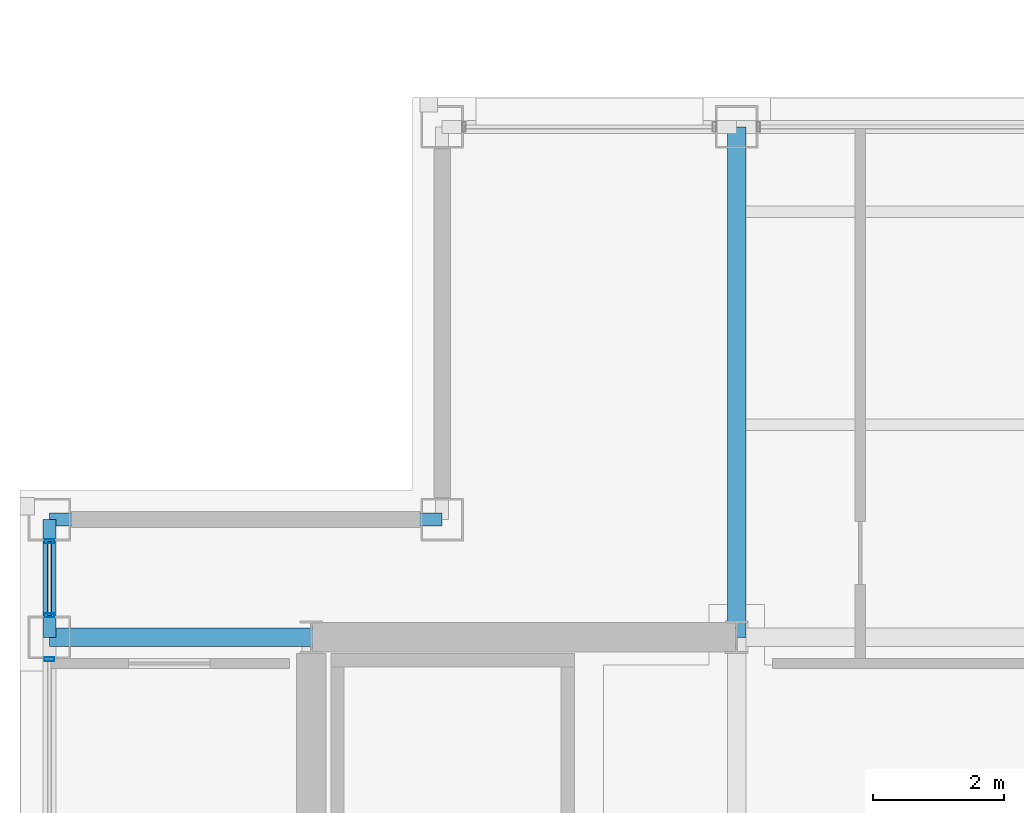
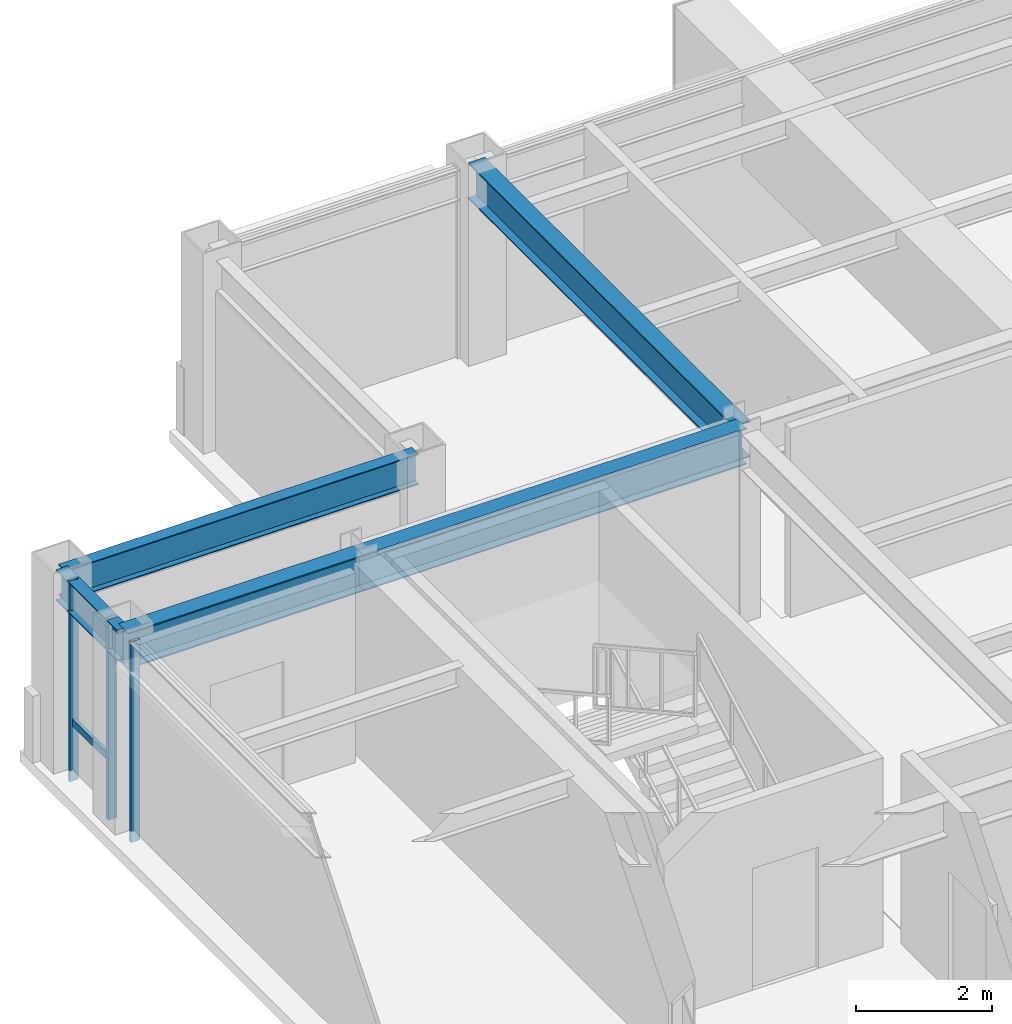
# One storey, part 8 of 20: 5 beams, 4 members, 2 elements without a shape of their own.
"""IFC4 building model written with IfcOpenShell, lengths in metres."""

from ifc_helpers import new_model, si_unit, direction, frame, origin, origin_2d, place, context, subcontext, project, spatial, hollow_rectangle, i_section, extrude, material, layer, layer_set, material_profile, profile_set, type_object, element, aggregate, save


model = new_model("IFC4")

# Units and contexts
model_context = context("Model", 3, precision=1e-05, world=origin(), true_north=direction((0.0, 1.0)))
body_context = subcontext(model_context, "Body", "Model", "MODEL_VIEW")
ifc_project = project(units=[si_unit("LENGTHUNIT", "METRE"), si_unit("AREAUNIT", "SQUARE_METRE"), si_unit("VOLUMEUNIT", "CUBIC_METRE"), si_unit("PLANEANGLEUNIT", "RADIAN"), si_unit("MASSUNIT", "GRAM", prefix="KILO")], contexts=[model_context])

# Site, building, storey
site_placement = place(None, origin())
site = spatial("IfcSite", under=ifc_project, at=site_placement, CompositionType="ELEMENT")
building_placement = place(site_placement, origin())
building = spatial("IfcBuilding", under=site, at=building_placement, Name="Brelmoor Portico Tower", CompositionType="ELEMENT")
storey_placement = place(building_placement, frame((0.0, 0.0, 218.39990234375)))
storey = spatial("IfcBuildingStorey", under=building, at=storey_placement, Name="L57", CompositionType="ELEMENT", Elevation=218.39990234375)

# Beams
ifc_material_1 = material(Name="Steel Q355B", Category="steel")
ifc_material_profile_1 = material_profile(ifc_material_1, i_section(OverallWidth=0.280029296875, OverallDepth=0.64990234375, WebThickness=0.012939453125, FlangeThickness=0.02197265625, at=origin_2d()), Name="HN 650x280x13x22")
ifc_profile_set_1 = profile_set([ifc_material_profile_1], Name="Steel Q355B")
beam_type_1 = type_object("IfcBeamType", Name="BM-PG-650", PredefinedType="BEAM", material=ifc_profile_set_1)
beam_1_placement = place(storey_placement, frame((-8.050048828125, 9.75, 3.0751953125), z_axis=(0.0, 1.0, 0.0), x_axis=(-1.0, 0.0, 0.0)))
element("IfcBeam", 1, at=beam_1_placement, inside=storey, type_object=beam_type_1, Name="L57 Primary Floor Girder PG-05", PredefinedType="BEAM", context=body_context, shape_type="SweptSolid", body=[
    extrude(i_section(OverallWidth=0.280029296875, OverallDepth=0.64990234375, WebThickness=0.012939453125, FlangeThickness=0.02197265625, at=origin_2d()), origin(), (0.0, 0.0, 1.0), 7.800048828125),
])
beam_2_placement = place(storey_placement, frame((-18.550048828125, 9.75, 3.0751953125), z_axis=(1.0, 0.0, 0.0), x_axis=(0.0, 1.0, 0.0)))
element("IfcBeam", 2, at=beam_2_placement, inside=storey, type_object=beam_type_1, Name="L57 Primary Floor Girder PG-19", PredefinedType="BEAM", context=body_context, shape_type="SweptSolid", body=[
    extrude(i_section(OverallWidth=0.280029296875, OverallDepth=0.64990234375, WebThickness=0.012939453125, FlangeThickness=0.02197265625, at=origin_2d()), origin(), (0.0, 0.0, 1.0), 4.0),
])
beam_3_placement = place(storey_placement, frame((-14.550048828125, 9.75, 3.0751953125), z_axis=(1.0, 0.0, 0.0), x_axis=(0.0, 1.0, 0.0)))
element("IfcBeam", 3, at=beam_3_placement, inside=storey, type_object=beam_type_1, Name="L57 Primary Floor Girder PG-20", PredefinedType="BEAM", context=body_context, shape_type="SweptSolid", body=[
    extrude(i_section(OverallWidth=0.280029296875, OverallDepth=0.64990234375, WebThickness=0.012939453125, FlangeThickness=0.02197265625, at=origin_2d()), origin(), (0.0, 0.0, 1.0), 6.5),
])
ifc_material_profile_2 = material_profile(ifc_material_1, i_section(OverallWidth=0.199951171875, OverallDepth=0.550048828125, WebThickness=0.010009765625, FlangeThickness=0.01611328125, at=origin_2d()), Name="HN 550x200x10x16")
ifc_profile_set_2 = profile_set([ifc_material_profile_2], Name="Steel Q355B")
beam_type_2 = type_object("IfcBeamType", Name="BM-SP-550", PredefinedType="SPANDREL", material=ifc_profile_set_2)
beam_4_placement = place(storey_placement, frame((-18.550048828125, 11.550048828125, 3.125), z_axis=(1.0, 0.0, 0.0), x_axis=(0.0, 1.0, 0.0)))
element("IfcBeam", 4, at=beam_4_placement, inside=storey, type_object=beam_type_2, Name="L57 Perimeter Spandrel Beam SP-06", PredefinedType="SPANDREL", context=body_context, shape_type="SweptSolid", body=[
    extrude(i_section(OverallWidth=0.199951171875, OverallDepth=0.550048828125, WebThickness=0.010009765625, FlangeThickness=0.01611328125, at=origin_2d()), origin(), (0.0, 0.0, 1.0), 6.0),
])
beam_5_placement = place(storey_placement, frame((-18.550048828125, 9.75, 3.125), z_axis=(0.0, 1.0, 0.0), x_axis=(-1.0, 0.0, 0.0)))
element("IfcBeam", 5, at=beam_5_placement, inside=storey, type_object=beam_type_2, Name="L57 Perimeter Spandrel Beam SP-13", PredefinedType="SPANDREL", context=body_context, shape_type="SweptSolid", body=[
    extrude(i_section(OverallWidth=0.199951171875, OverallDepth=0.550048828125, WebThickness=0.010009765625, FlangeThickness=0.01611328125, at=origin_2d()), origin(), (0.0, 0.0, 1.0), 1.800048828125),
])

# Curtain wall, member
ifc_material_2 = material(Name="Anodised Aluminium Alloy 6063-T6", Category="aluminium")
ifc_layer_1 = layer(ifc_material_2, 0.179931640625)
ifc_layer_set_1 = layer_set([ifc_layer_1], Name="Anodised Aluminium Alloy 6063-T6")
curtain_wall_type_1 = type_object("IfcCurtainWallType", Name="CW-TOWER-Z4-XB", PredefinedType="NOTDEFINED", material=ifc_layer_set_1)
curtain_wall_1_placement = place(storey_placement, origin())
curtain_wall_1 = element("IfcCurtainWall", 6, at=curtain_wall_1_placement, inside=storey, type_object=curtain_wall_type_1, Name="L57 Curtain Wall CW-L57-03-2", PredefinedType="NOTDEFINED")
ifc_material_profile_3 = material_profile(ifc_material_2, hollow_rectangle(XDim=0.06005859375, YDim=0.14990234375, WallThickness=0.00390625, at=origin_2d()), Name="ALU MULLION 60x150")
ifc_profile_set_3 = profile_set([ifc_material_profile_3], Name="Anodised Aluminium Alloy 6063-T6")
member_type_1 = type_object("IfcMemberType", Name="MB-CW-MULL-150", PredefinedType="MULLION", material=ifc_profile_set_3)
member_1_placement = place(storey_placement, frame((-18.550048828125, 9.4150390625, -0.199951171875), z_axis=(0.0, 0.0, 1.0), x_axis=(0.0, 1.0, 0.0)))
member_1 = element("IfcMember", 7, at=member_1_placement, type_object=member_type_1, Name="CW-L57-03-2 Mullion 02", PredefinedType="MULLION", context=body_context, shape_type="SweptSolid", body=[
    extrude(hollow_rectangle(XDim=0.06005859375, YDim=0.14990234375, WallThickness=0.00390625, at=origin_2d()), origin(), (0.0, 0.0, 1.0), 3.60009765625),
])
aggregate(curtain_wall_1, [member_1])

# Curtain wall, members
ifc_layer_2 = layer(ifc_material_2, 0.179931640625)
ifc_layer_set_2 = layer_set([ifc_layer_2], Name="Anodised Aluminium Alloy 6063-T6")
curtain_wall_type_2 = type_object("IfcCurtainWallType", Name="CW-TOWER-Z4", PredefinedType="NOTDEFINED", material=ifc_layer_set_2)
curtain_wall_2_placement = place(storey_placement, origin())
curtain_wall_2 = element("IfcCurtainWall", 8, at=curtain_wall_2_placement, inside=storey, type_object=curtain_wall_type_2, Name="L57 Curtain Wall CW-L57-03-3", PredefinedType="NOTDEFINED")
member_2_placement = place(storey_placement, frame((-18.550048828125, 10.0849609375, -0.199951171875), z_axis=(0.0, 0.0, 1.0), x_axis=(0.0, 1.0, 0.0)))
member_2 = element("IfcMember", 9, at=member_2_placement, type_object=member_type_1, Name="CW-L57-03-3 Mullion 00", PredefinedType="MULLION", context=body_context, shape_type="SweptSolid", body=[
    extrude(hollow_rectangle(XDim=0.06005859375, YDim=0.14990234375, WallThickness=0.00390625, at=origin_2d()), origin(), (0.0, 0.0, 1.0), 3.60009765625),
])
member_3_placement = place(storey_placement, frame((-18.550048828125, 11.215087890625, -0.199951171875), z_axis=(0.0, 0.0, 1.0), x_axis=(0.0, 1.0, 0.0)))
member_3 = element("IfcMember", 10, at=member_3_placement, type_object=member_type_1, Name="CW-L57-03-3 Mullion 01", PredefinedType="MULLION", context=body_context, shape_type="SweptSolid", body=[
    extrude(hollow_rectangle(XDim=0.06005859375, YDim=0.14990234375, WallThickness=0.00390625, at=origin_2d()), origin(), (0.0, 0.0, 1.0), 3.60009765625),
])
ifc_material_profile_4 = material_profile(ifc_material_2, hollow_rectangle(XDim=0.06005859375, YDim=0.125, WallThickness=0.00341796875, at=origin_2d()), Name="ALU TRANSOM 60x125")
ifc_profile_set_4 = profile_set([ifc_material_profile_4], Name="Anodised Aluminium Alloy 6063-T6")
member_type_2 = type_object("IfcMemberType", Name="MB-CW-TRAN-125", PredefinedType="USERDEFINED", material=ifc_profile_set_4)
member_4_placement = place(storey_placement, frame((-18.550048828125, 10.0849609375, 0.85009765625), z_axis=(0.0, 1.0, 0.0), x_axis=(-1.0, 0.0, 0.0)))
member_4 = element("IfcMember", 11, at=member_4_placement, type_object=member_type_2, Name="CW-L57-03-3 Transom 1-00", ObjectType="TRANSOM", PredefinedType="USERDEFINED", context=body_context, shape_type="SweptSolid", body=[
    extrude(hollow_rectangle(XDim=0.06005859375, YDim=0.125, WallThickness=0.00341796875, at=origin_2d()), origin(), (0.0, 0.0, 1.0), 1.130126953125),
])
aggregate(curtain_wall_2, [member_2, member_3, member_4])

save(model, "model.ifc")
